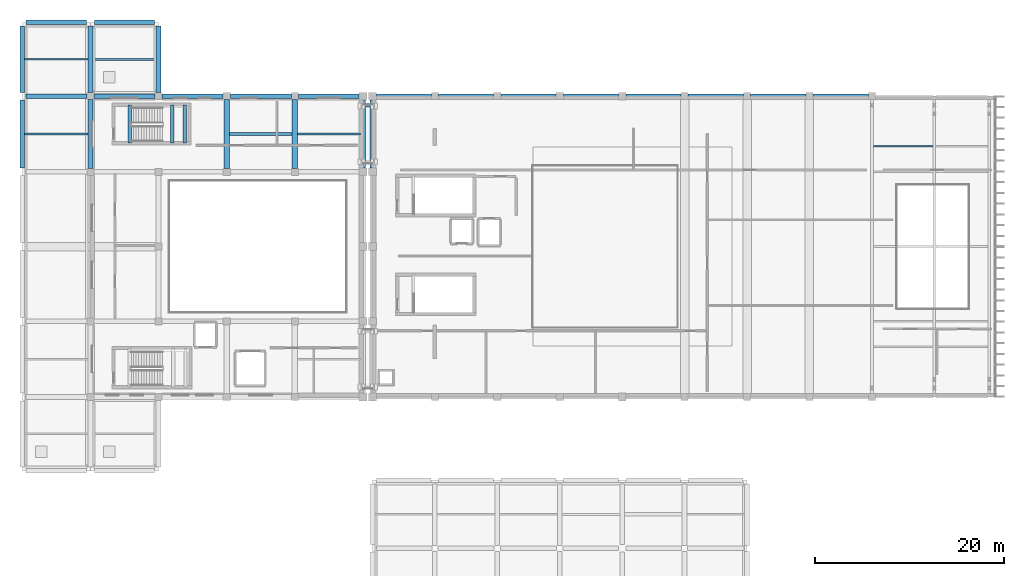
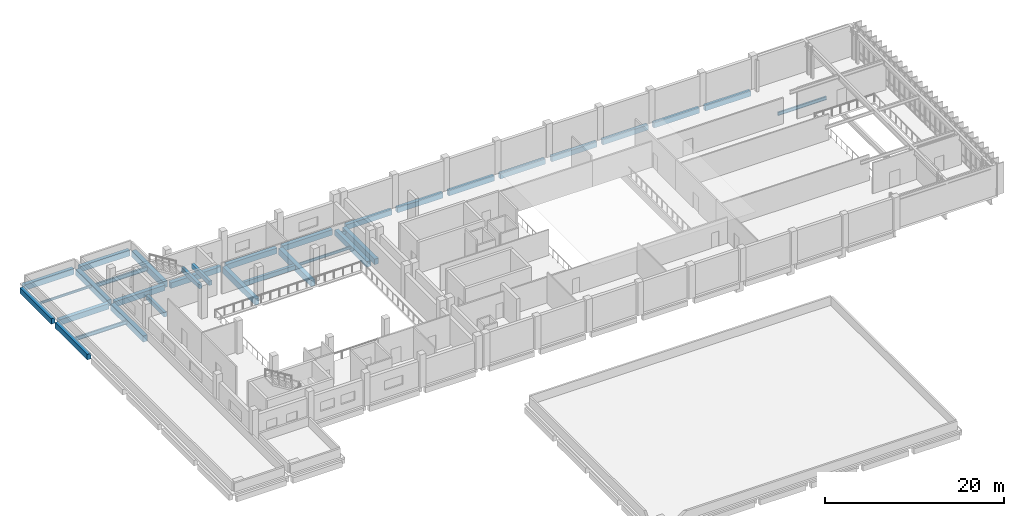
# One storey, part 7 of 23: 34 beams.
"""IFC4 building model written with IfcOpenShell, lengths in metres."""

from ifc_helpers import new_model, si_unit, direction, frame, origin, origin_2d, place, context, subcontext, project, spatial, rectangle, hollow_rectangle, i_section, extrude, material, material_profile, profile_set, type_object, element, save


model = new_model("IFC4")

# Units and contexts
model_context = context("Model", 3, precision=1e-05, world=origin(), true_north=direction((0.0, 1.0)))
body_context = subcontext(model_context, "Body", "Model", "MODEL_VIEW")
ifc_project = project(units=[si_unit("LENGTHUNIT", "METRE"), si_unit("AREAUNIT", "SQUARE_METRE"), si_unit("VOLUMEUNIT", "CUBIC_METRE"), si_unit("PLANEANGLEUNIT", "RADIAN"), si_unit("MASSUNIT", "GRAM", prefix="KILO")], contexts=[model_context])

# Site, building, storey
site_placement = place(None, origin())
site = spatial("IfcSite", under=ifc_project, at=site_placement, CompositionType="ELEMENT")
building_placement = place(site_placement, origin())
building = spatial("IfcBuilding", under=site, at=building_placement, Name="Kelarvand Opera House", CompositionType="ELEMENT")
storey_placement = place(building_placement, frame((0.0, 0.0, 19.5)))
storey = spatial("IfcBuildingStorey", under=building, at=storey_placement, Name="L04", CompositionType="ELEMENT", Elevation=19.5)

# Beams
ifc_material_1 = material(Name="Concrete C35/45", Category="concrete")
ifc_material_profile_1 = material_profile(ifc_material_1, rectangle(XDim=0.35009765625, YDim=0.60009765625, at=origin_2d()), Name="RC 350x600", Category="concrete")
ifc_profile_set_1 = profile_set([ifc_material_profile_1], Name="Concrete C35/45")
beam_type_1 = type_object("IfcBeamType", Name="Structural Beam RC 350x600 BM-RC350x600", PredefinedType="BEAM", material=ifc_profile_set_1)
beam_1_placement = place(storey_placement, frame((73.875, 74.39990234375, -0.580078125), z_axis=(1.0, 0.0, 0.0), x_axis=(0.0, 1.0, 0.0)))
element("IfcBeam", 1, at=beam_1_placement, inside=storey, type_object=beam_type_1, Name="V2 L04 Beam BM-RC350x600", PredefinedType="BEAM", context=body_context, shape_type="SweptSolid", body=[
    extrude(rectangle(XDim=0.35009765625, YDim=0.60009765625, at=origin_2d()), origin(), (0.0, 0.0, 1.0), 6.64990234375),
])
for number, where, z_axis, x_axis, name in (
    (2, (63.340087890625, 73.449951171875, -0.52001953125), (0.0, 1.0, 0.0), (-1.0, 0.0, 0.0), "C3 Stair Landing Support Beam L04"),
    (3, (67.85009765625, 73.449951171875, 1.75), (0.0, 1.0, 0.0), (-1.0, 0.0, 0.0), "C3 Stair Half-Landing Beam 1 L04"),
    (4, (69.14990234375, 73.449951171875, 1.75), (0.0, 1.0, 0.0), (-1.0, 0.0, 0.0), "C3 Stair Half-Landing Beam 2 L04"),
):
    element("IfcBeam", number, at=place(storey_placement, frame(where, z_axis=z_axis, x_axis=x_axis)), inside=storey, type_object=beam_type_1, Name=name, PredefinedType="BEAM", context=body_context, shape_type="SweptSolid", body=[
        extrude(rectangle(XDim=0.35009765625, YDim=0.60009765625, at=origin_2d()), origin(), (0.0, 0.0, 1.0), 4.0),
    ])
ifc_material_2 = material(Name="Concrete C40/50", Category="concrete")
ifc_material_profile_2 = material_profile(ifc_material_2, rectangle(XDim=0.449951171875, YDim=0.699951171875, at=origin_2d()), Name="RC 450x700", Category="concrete")
ifc_profile_set_2 = profile_set([ifc_material_profile_2], Name="Concrete C40/50")
beam_type_2 = type_object("IfcBeamType", Name="Structural Beam RC 450x700 BM-RC450x700", PredefinedType="BEAM", material=ifc_profile_set_2)
beam_2_placement = place(storey_placement, frame((89.409912109375, 78.39990234375, -0.6298828125), z_axis=(1.0, 0.0, 0.0), x_axis=(0.0, 1.0, 0.0)))
element("IfcBeam", 5, at=beam_2_placement, inside=storey, type_object=beam_type_2, Name="V1 L04 Beam BM-RC450x700", PredefinedType="BEAM", context=body_context, shape_type="SweptSolid", body=[
    extrude(rectangle(XDim=0.449951171875, YDim=0.699951171875, at=origin_2d()), origin(), (0.0, 0.0, 1.0), 5.815185546875),
])
beam_3_placement = place(storey_placement, frame((95.97509765625, 78.39990234375, -0.6298828125), z_axis=(1.0, 0.0, 0.0), x_axis=(0.0, 1.0, 0.0)))
element("IfcBeam", 6, at=beam_3_placement, inside=storey, type_object=beam_type_2, Name="V1 L04 Beam BM-RC450x700", PredefinedType="BEAM", context=body_context, shape_type="SweptSolid", body=[
    extrude(rectangle(XDim=0.449951171875, YDim=0.699951171875, at=origin_2d()), origin(), (0.0, 0.0, 1.0), 5.849853515625),
])
beam_4_placement = place(storey_placement, frame((102.574951171875, 78.39990234375, -0.6298828125), z_axis=(1.0, 0.0, 0.0), x_axis=(0.0, 1.0, 0.0)))
element("IfcBeam", 7, at=beam_4_placement, inside=storey, type_object=beam_type_2, Name="V1 L04 Beam BM-RC450x700", PredefinedType="BEAM", context=body_context, shape_type="SweptSolid", body=[
    extrude(rectangle(XDim=0.449951171875, YDim=0.699951171875, at=origin_2d()), origin(), (0.0, 0.0, 1.0), 5.85009765625),
])
for number, where, z_axis, x_axis, name in (
    (8, (109.175048828125, 78.39990234375, -0.6298828125), (1.0, 0.0, 0.0), (0.0, 1.0, 0.0), "V1 L04 Beam BM-RC450x700"),
    (9, (115.81005859375, 78.39990234375, -0.6298828125), (1.0, 0.0, 0.0), (0.0, 1.0, 0.0), "V1 L04 Beam BM-RC450x700"),
):
    element("IfcBeam", number, at=place(storey_placement, frame(where, z_axis=z_axis, x_axis=x_axis)), inside=storey, type_object=beam_type_2, Name=name, PredefinedType="BEAM", context=body_context, shape_type="SweptSolid", body=[
        extrude(rectangle(XDim=0.449951171875, YDim=0.699951171875, at=origin_2d()), origin(), (0.0, 0.0, 1.0), 5.81494140625),
    ])
beam_5_placement = place(storey_placement, frame((122.375, 78.39990234375, -0.6298828125), z_axis=(1.0, 0.0, 0.0), x_axis=(0.0, 1.0, 0.0)))
element("IfcBeam", 10, at=beam_5_placement, inside=storey, type_object=beam_type_2, Name="V1 L04 Beam BM-RC450x700", PredefinedType="BEAM", context=body_context, shape_type="SweptSolid", body=[
    extrude(rectangle(XDim=0.449951171875, YDim=0.699951171875, at=origin_2d()), origin(), (0.0, 0.0, 1.0), 5.85009765625),
])
beam_6_placement = place(storey_placement, frame((128.97509765625, 78.39990234375, -0.6298828125), z_axis=(1.0, 0.0, 0.0), x_axis=(0.0, 1.0, 0.0)))
element("IfcBeam", 11, at=beam_6_placement, inside=storey, type_object=beam_type_2, Name="V1 L04 Beam BM-RC450x700", PredefinedType="BEAM", context=body_context, shape_type="SweptSolid", body=[
    extrude(rectangle(XDim=0.449951171875, YDim=0.699951171875, at=origin_2d()), origin(), (0.0, 0.0, 1.0), 5.849853515625),
])
beam_7_placement = place(storey_placement, frame((135.574951171875, 78.39990234375, -0.6298828125), z_axis=(1.0, 0.0, 0.0), x_axis=(0.0, 1.0, 0.0)))
element("IfcBeam", 12, at=beam_7_placement, inside=storey, type_object=beam_type_2, Name="V1 L04 Beam BM-RC450x700", PredefinedType="BEAM", context=body_context, shape_type="SweptSolid", body=[
    extrude(rectangle(XDim=0.449951171875, YDim=0.699951171875, at=origin_2d()), origin(), (0.0, 0.0, 1.0), 5.85009765625),
])
ifc_material_profile_3 = material_profile(ifc_material_2, rectangle(XDim=0.5, YDim=0.75, at=origin_2d()), Name="RC 500x750", Category="concrete")
ifc_profile_set_3 = profile_set([ifc_material_profile_3], Name="Concrete C40/50")
beam_type_3 = type_object("IfcBeamType", Name="Structural Beam RC 500x750 BM-RC500x750", PredefinedType="BEAM", material=ifc_profile_set_3)
beam_8_placement = place(storey_placement, frame((52.409912109375, 78.39990234375, -0.655029296875), z_axis=(1.0, 0.0, 0.0), x_axis=(0.0, 1.0, 0.0)))
element("IfcBeam", 13, at=beam_8_placement, inside=storey, type_object=beam_type_3, Name="V2 L04 Beam BM-RC500x750", PredefinedType="BEAM", context=body_context, shape_type="SweptSolid", body=[
    extrude(rectangle(XDim=0.5, YDim=0.75, at=origin_2d()), origin(), (0.0, 0.0, 1.0), 6.4150390625),
])
beam_9_placement = place(storey_placement, frame((59.574951171875, 78.39990234375, -0.655029296875), z_axis=(1.0, 0.0, 0.0), x_axis=(0.0, 1.0, 0.0)))
element("IfcBeam", 14, at=beam_9_placement, inside=storey, type_object=beam_type_3, Name="V2 L04 Beam BM-RC500x750", PredefinedType="BEAM", context=body_context, shape_type="SweptSolid", body=[
    extrude(rectangle(XDim=0.5, YDim=0.75, at=origin_2d()), origin(), (0.0, 0.0, 1.0), 6.449951171875),
])
beam_10_placement = place(storey_placement, frame((66.77490234375, 78.39990234375, -0.655029296875), z_axis=(1.0, 0.0, 0.0), x_axis=(0.0, 1.0, 0.0)))
element("IfcBeam", 15, at=beam_10_placement, inside=storey, type_object=beam_type_3, Name="V2 L04 Beam BM-RC500x750", PredefinedType="BEAM", context=body_context, shape_type="SweptSolid", body=[
    extrude(rectangle(XDim=0.5, YDim=0.75, at=origin_2d()), origin(), (0.0, 0.0, 1.0), 6.4501953125),
])
beam_11_placement = place(storey_placement, frame((73.97509765625, 78.39990234375, -0.655029296875), z_axis=(1.0, 0.0, 0.0), x_axis=(0.0, 1.0, 0.0)))
element("IfcBeam", 16, at=beam_11_placement, inside=storey, type_object=beam_type_3, Name="V2 L04 Beam BM-RC500x750", PredefinedType="BEAM", context=body_context, shape_type="SweptSolid", body=[
    extrude(rectangle(XDim=0.5, YDim=0.75, at=origin_2d()), origin(), (0.0, 0.0, 1.0), 6.449951171875),
])
beam_12_placement = place(storey_placement, frame((81.175048828125, 78.39990234375, -0.655029296875), z_axis=(1.0, 0.0, 0.0), x_axis=(0.0, 1.0, 0.0)))
element("IfcBeam", 17, at=beam_12_placement, inside=storey, type_object=beam_type_3, Name="V2 L04 Beam BM-RC500x750", PredefinedType="BEAM", context=body_context, shape_type="SweptSolid", body=[
    extrude(rectangle(XDim=0.5, YDim=0.75, at=origin_2d()), origin(), (0.0, 0.0, 1.0), 6.4150390625),
])
ifc_material_profile_4 = material_profile(ifc_material_2, rectangle(XDim=0.550048828125, YDim=0.85009765625, at=origin_2d()), Name="RC 550x850", Category="concrete")
ifc_profile_set_4 = profile_set([ifc_material_profile_4], Name="Concrete C40/50")
beam_type_4 = type_object("IfcBeamType", Name="Structural Beam RC 550x850 BM-RC550x850", PredefinedType="BEAM", material=ifc_profile_set_4)
beam_13_placement = place(storey_placement, frame((59.199951171875, 70.77490234375, -0.705078125), z_axis=(0.0, 1.0, 0.0), x_axis=(-1.0, 0.0, 0.0)))
element("IfcBeam", 18, at=beam_13_placement, inside=storey, type_object=beam_type_4, Name="V2 L04 Beam BM-RC550x850", PredefinedType="BEAM", context=body_context, shape_type="SweptSolid", body=[
    extrude(rectangle(XDim=0.550048828125, YDim=0.85009765625, at=origin_2d()), origin(), (0.0, 0.0, 1.0), 7.25),
])
for number, where, z_axis, x_axis, name in (
    (19, (59.199951171875, 78.77490234375, -0.705078125), (0.0, 1.0, 0.0), (-1.0, 0.0, 0.0), "V2 L04 Beam BM-RC550x850"),
    (20, (66.39990234375, 78.77490234375, -0.705078125), (0.0, 1.0, 0.0), (-1.0, 0.0, 0.0), "V2 L04 Beam BM-RC550x850"),
):
    element("IfcBeam", number, at=place(storey_placement, frame(where, z_axis=z_axis, x_axis=x_axis)), inside=storey, type_object=beam_type_4, Name=name, PredefinedType="BEAM", context=body_context, shape_type="SweptSolid", body=[
        extrude(rectangle(XDim=0.550048828125, YDim=0.85009765625, at=origin_2d()), origin(), (0.0, 0.0, 1.0), 7.01513671875),
    ])
for number, where, z_axis, x_axis, name in (
    (21, (73.60009765625, 70.77490234375, -0.705078125), (0.0, 1.0, 0.0), (-1.0, 0.0, 0.0), "V2 L04 Beam BM-RC550x850"),
    (22, (80.800048828125, 70.77490234375, -0.705078125), (0.0, 1.0, 0.0), (-1.0, 0.0, 0.0), "V2 L04 Beam BM-RC550x850"),
):
    element("IfcBeam", number, at=place(storey_placement, frame(where, z_axis=z_axis, x_axis=x_axis)), inside=storey, type_object=beam_type_4, Name=name, PredefinedType="BEAM", context=body_context, shape_type="SweptSolid", body=[
        extrude(rectangle(XDim=0.550048828125, YDim=0.85009765625, at=origin_2d()), origin(), (0.0, 0.0, 1.0), 7.25),
    ])
ifc_material_3 = material(Name="Steel S355", Category="steel")
ifc_material_profile_5 = material_profile(ifc_material_3, hollow_rectangle(XDim=0.199951171875, YDim=0.39990234375, WallThickness=0.01611328125, at=origin_2d()), Name="RHS 400x200x16.0", Category="steel")
ifc_profile_set_5 = profile_set([ifc_material_profile_5], Name="Steel S355")
beam_type_5 = type_object("IfcBeamType", Name="Structural Beam RHS 400x200x16.0 BM-RHS400", PredefinedType="BEAM", material=ifc_profile_set_5)
beam_14_placement = place(storey_placement, frame((87.85009765625, 77.35009765625, -0.52001953125), z_axis=(1.0, 0.0, 0.0), x_axis=(0.0, 1.0, 0.0)))
element("IfcBeam", 23, at=beam_14_placement, inside=storey, type_object=beam_type_5, Name="Seismic Sliding Corbel Beam BR-JP-N L04 2", PredefinedType="BEAM", context=body_context, shape_type="SweptSolid", body=[
    extrude(hollow_rectangle(XDim=0.199951171875, YDim=0.39990234375, WallThickness=0.01611328125, at=origin_2d()), origin(), (0.0, 0.0, 1.0), 1.2998046875),
])
ifc_material_profile_6 = material_profile(ifc_material_3, i_section(OverallWidth=0.14990234375, OverallDepth=0.300048828125, WebThickness=0.007080078125, FlangeThickness=0.0107421875, at=origin_2d()), Name="IPE 300", Category="steel")
ifc_profile_set_6 = profile_set([ifc_material_profile_6], Name="Steel S355")
beam_type_6 = type_object("IfcBeamType", Name="Structural Joist IPE 300 JS-IPE300", PredefinedType="JOIST", material=ifc_profile_set_6)
beam_15_placement = place(storey_placement, frame((52.25, 82.300048828125, -0.429931640625), z_axis=(1.0, 0.0, 0.0), x_axis=(0.0, 1.0, 0.0)))
element("IfcBeam", 24, at=beam_15_placement, inside=storey, type_object=beam_type_6, Name="V2 L04 Beam JS-IPE300", PredefinedType="JOIST", context=body_context, shape_type="SweptSolid", body=[
    extrude(i_section(OverallWidth=0.14990234375, OverallDepth=0.300048828125, WebThickness=0.007080078125, FlangeThickness=0.0107421875, at=origin_2d()), origin(), (0.0, 0.0, 1.0), 6.675048828125),
])
ifc_material_profile_7 = material_profile(ifc_material_3, i_section(OverallWidth=0.169921875, OverallDepth=0.360107421875, WebThickness=0.008056640625, FlangeThickness=0.0126953125, at=origin_2d()), Name="IPE 360", Category="steel")
ifc_profile_set_7 = profile_set([ifc_material_profile_7], Name="Steel S355")
beam_type_7 = type_object("IfcBeamType", Name="Structural Joist IPE 360 JS-IPE360", PredefinedType="JOIST", material=ifc_profile_set_7)
beam_16_placement = place(storey_placement, frame((81.074951171875, 74.39990234375, -0.4599609375), z_axis=(1.0, 0.0, 0.0), x_axis=(0.0, 1.0, 0.0)))
element("IfcBeam", 25, at=beam_16_placement, inside=storey, type_object=beam_type_7, Name="V2 L04 Beam JS-IPE360", PredefinedType="JOIST", context=body_context, shape_type="SweptSolid", body=[
    extrude(i_section(OverallWidth=0.169921875, OverallDepth=0.360107421875, WebThickness=0.008056640625, FlangeThickness=0.0126953125, at=origin_2d()), origin(), (0.0, 0.0, 1.0), 6.675048828125),
])
ifc_material_profile_8 = material_profile(ifc_material_3, i_section(OverallWidth=0.18994140625, OverallDepth=0.449951171875, WebThickness=0.009521484375, FlangeThickness=0.0146484375, at=origin_2d()), Name="IPE 450", Category="steel")
ifc_profile_set_8 = profile_set([ifc_material_profile_8], Name="Steel S355")
beam_type_8 = type_object("IfcBeamType", Name="Structural Joist IPE 450 JS-IPE450", PredefinedType="JOIST", material=ifc_profile_set_8)
beam_17_placement = place(storey_placement, frame((141.9599609375, 73.10009765625, -0.5048828125), z_axis=(1.0, 0.0, 0.0), x_axis=(0.0, 1.0, 0.0)))
element("IfcBeam", 26, at=beam_17_placement, inside=storey, type_object=beam_type_8, Name="V1 L04 Beam JS-IPE450", PredefinedType="JOIST", context=body_context, shape_type="SweptSolid", body=[
    extrude(i_section(OverallWidth=0.18994140625, OverallDepth=0.449951171875, WebThickness=0.009521484375, FlangeThickness=0.0146484375, at=origin_2d()), origin(), (0.0, 0.0, 1.0), 6.280029296875),
])
ifc_material_profile_9 = material_profile(ifc_material_3, i_section(OverallWidth=0.199951171875, OverallDepth=0.5, WebThickness=0.01025390625, FlangeThickness=0.01611328125, at=origin_2d()), Name="IPE 500", Category="steel")
ifc_profile_set_9 = profile_set([ifc_material_profile_9], Name="Steel S355")
beam_type_9 = type_object("IfcBeamType", Name="Structural Joist IPE 500 JS-IPE500", PredefinedType="JOIST", material=ifc_profile_set_9)
beam_18_placement = place(storey_placement, frame((52.25, 74.39990234375, -0.530029296875), z_axis=(1.0, 0.0, 0.0), x_axis=(0.0, 1.0, 0.0)))
element("IfcBeam", 27, at=beam_18_placement, inside=storey, type_object=beam_type_9, Name="V2 L04 Beam JS-IPE500", PredefinedType="JOIST", context=body_context, shape_type="SweptSolid", body=[
    extrude(i_section(OverallWidth=0.199951171875, OverallDepth=0.5, WebThickness=0.01025390625, FlangeThickness=0.01611328125, at=origin_2d()), origin(), (0.0, 0.0, 1.0), 6.675048828125),
])
ifc_material_profile_10 = material_profile(ifc_material_3, i_section(OverallWidth=0.2099609375, OverallDepth=0.550048828125, WebThickness=0.010986328125, FlangeThickness=0.01708984375, at=origin_2d()), Name="IPE 550", Category="steel")
ifc_profile_set_10 = profile_set([ifc_material_profile_10], Name="Steel S355")
beam_type_10 = type_object("IfcBeamType", Name="Structural Joist IPE 550 JS-IPE550", PredefinedType="JOIST", material=ifc_profile_set_10)
beam_19_placement = place(storey_placement, frame((59.47509765625, 82.300048828125, -0.554931640625), z_axis=(1.0, 0.0, 0.0), x_axis=(0.0, 1.0, 0.0)))
element("IfcBeam", 28, at=beam_19_placement, inside=storey, type_object=beam_type_10, Name="V2 L04 Beam JS-IPE550", PredefinedType="JOIST", context=body_context, shape_type="SweptSolid", body=[
    extrude(i_section(OverallWidth=0.2099609375, OverallDepth=0.550048828125, WebThickness=0.010986328125, FlangeThickness=0.01708984375, at=origin_2d()), origin(), (0.0, 0.0, 1.0), 6.64990234375),
])
ifc_material_profile_11 = material_profile(ifc_material_2, rectangle(XDim=0.5, YDim=0.75, at=origin_2d()), Name="RC 500x750", Category="concrete")
ifc_profile_set_11 = profile_set([ifc_material_profile_11], Name="Concrete C40/50")
beam_type_11 = type_object("IfcBeamType", Name="Structural Spandrel RC 500x750 SP-RC500x750E", PredefinedType="SPANDREL", material=ifc_profile_set_11)
beam_20_placement = place(storey_placement, frame((89.0, 70.81005859375, -0.655029296875), z_axis=(0.0, 1.0, 0.0), x_axis=(-1.0, 0.0, 0.0)))
element("IfcBeam", 29, at=beam_20_placement, inside=storey, type_object=beam_type_11, Name="V1 L04 Beam SP-RC500x750E", PredefinedType="SPANDREL", context=body_context, shape_type="SweptSolid", body=[
    extrude(rectangle(XDim=0.5, YDim=0.75, at=origin_2d()), origin(), (0.0, 0.0, 1.0), 7.179931640625),
])
beam_21_placement = place(storey_placement, frame((52.409912109375, 86.199951171875, -0.655029296875), z_axis=(1.0, 0.0, 0.0), x_axis=(0.0, 1.0, 0.0)))
element("IfcBeam", 30, at=beam_21_placement, inside=storey, type_object=beam_type_11, Name="V2 L04 Beam SP-RC500x750E", PredefinedType="SPANDREL", context=body_context, shape_type="SweptSolid", body=[
    extrude(rectangle(XDim=0.5, YDim=0.75, at=origin_2d()), origin(), (0.0, 0.0, 1.0), 6.380126953125),
])
beam_22_placement = place(storey_placement, frame((59.610107421875, 86.199951171875, -0.655029296875), z_axis=(1.0, 0.0, 0.0), x_axis=(0.0, 1.0, 0.0)))
element("IfcBeam", 31, at=beam_22_placement, inside=storey, type_object=beam_type_11, Name="V2 L04 Beam SP-RC500x750E", PredefinedType="SPANDREL", context=body_context, shape_type="SweptSolid", body=[
    extrude(rectangle(XDim=0.5, YDim=0.75, at=origin_2d()), origin(), (0.0, 0.0, 1.0), 6.3798828125),
])
beam_23_placement = place(storey_placement, frame((52.0, 70.81005859375, -0.655029296875), z_axis=(0.0, 1.0, 0.0), x_axis=(-1.0, 0.0, 0.0)))
element("IfcBeam", 32, at=beam_23_placement, inside=storey, type_object=beam_type_11, Name="V2 L04 Beam SP-RC500x750E", PredefinedType="SPANDREL", context=body_context, shape_type="SweptSolid", body=[
    extrude(rectangle(XDim=0.5, YDim=0.75, at=origin_2d()), origin(), (0.0, 0.0, 1.0), 7.179931640625),
])
beam_24_placement = place(storey_placement, frame((52.0, 78.81005859375, -0.655029296875), z_axis=(0.0, 1.0, 0.0), x_axis=(-1.0, 0.0, 0.0)))
element("IfcBeam", 33, at=beam_24_placement, inside=storey, type_object=beam_type_11, Name="V2 L04 Beam SP-RC500x750E", PredefinedType="SPANDREL", context=body_context, shape_type="SweptSolid", body=[
    extrude(rectangle(XDim=0.5, YDim=0.75, at=origin_2d()), origin(), (0.0, 0.0, 1.0), 6.97998046875),
])
beam_25_placement = place(storey_placement, frame((88.0, 70.81005859375, -0.655029296875), z_axis=(0.0, 1.0, 0.0), x_axis=(-1.0, 0.0, 0.0)))
element("IfcBeam", 34, at=beam_25_placement, inside=storey, type_object=beam_type_11, Name="V2 L04 Beam SP-RC500x750E", PredefinedType="SPANDREL", context=body_context, shape_type="SweptSolid", body=[
    extrude(rectangle(XDim=0.5, YDim=0.75, at=origin_2d()), origin(), (0.0, 0.0, 1.0), 7.179931640625),
])

save(model, "model.ifc")
